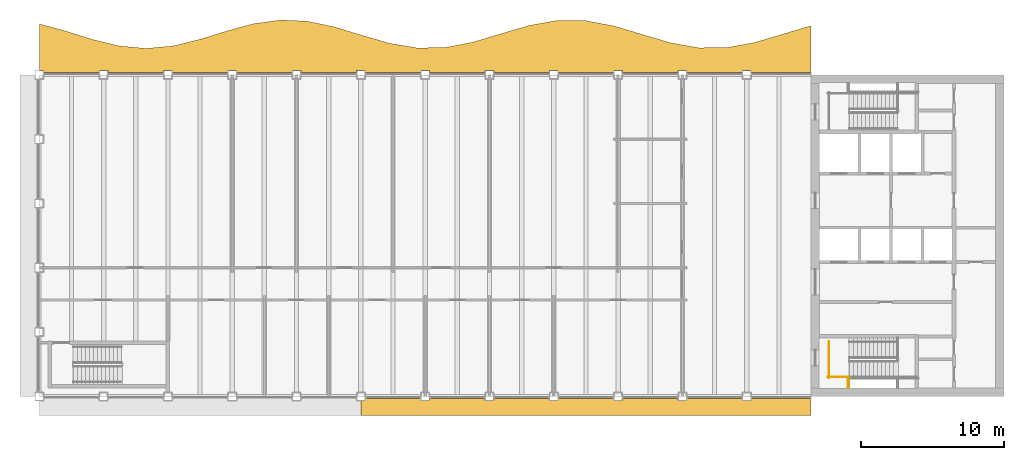
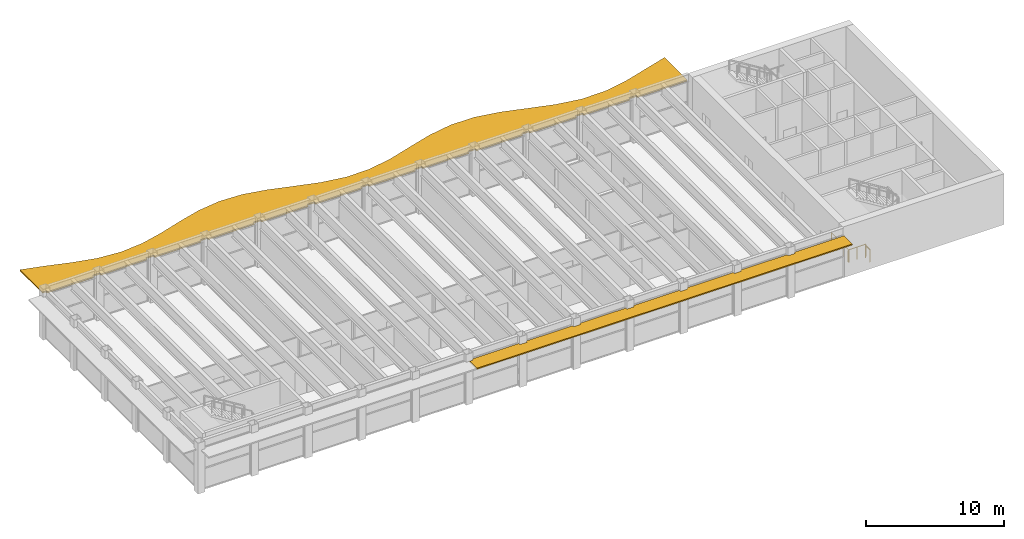
# One storey, part 13 of 14: 3 railings, 2 shading devices.
"""IFC4 building model written with IfcOpenShell, lengths in metres."""

from ifc_helpers import new_model, si_unit, direction, frame, origin, origin_2d, place, context, subcontext, project, spatial, polyline, rectangle, outline, extrude, material, layer, layer_set, type_object, element, save


model = new_model("IFC4")

# Units and contexts
model_context = context("Model", 3, precision=1e-05, world=origin(), true_north=direction((0.0, 1.0)))
body_context = subcontext(model_context, "Body", "Model", "MODEL_VIEW")
ifc_project = project(units=[si_unit("LENGTHUNIT", "METRE"), si_unit("AREAUNIT", "SQUARE_METRE"), si_unit("VOLUMEUNIT", "CUBIC_METRE"), si_unit("PLANEANGLEUNIT", "RADIAN"), si_unit("MASSUNIT", "GRAM", prefix="KILO")], contexts=[model_context])

# Site, building, storey
site_placement = place(None, origin())
site = spatial("IfcSite", under=ifc_project, at=site_placement, CompositionType="ELEMENT")
building_placement = place(site_placement, origin())
building = spatial("IfcBuilding", under=site, at=building_placement, Name="Sennacour Bend Tower", CompositionType="ELEMENT")
storey_placement = place(building_placement, frame((0.0, 0.0, 336.5)))
storey = spatial("IfcBuildingStorey", under=building, at=storey_placement, Name="L77", CompositionType="ELEMENT", Elevation=336.5)

# Railings
ifc_material_1 = material(Name="Stainless steel", Category="steel")
railing_type = type_object("IfcRailingType", Name="RL-GUARD-1100", PredefinedType="GUARDRAIL", material=ifc_material_1)
railing_1_placement = place(storey_placement, frame((55.199951171875, 1.35009765625, 0.0)))
element("IfcRailing", 1, at=railing_1_placement, inside=storey, type_object=railing_type, Name="L77 SA1 stair guard 6", PredefinedType="GUARDRAIL", context=body_context, shape_type="SweptSolid", body=[
    extrude(rectangle(XDim=0.048095703125, YDim=0.048095703125, at=origin_2d()), frame((0.0, 0.0, 1.076171875), z_axis=(1.0, 0.0, 0.0), x_axis=(0.0, 1.0, 0.0)), (0.0, 0.0, 1.0), 1.5),
    extrude(rectangle(XDim=0.0419921875, YDim=0.0419921875, at=origin_2d()), origin(), (0.0, 0.0, 1.0), 1.052001953125),
    extrude(rectangle(XDim=0.0419921875, YDim=0.0419921875, at=origin_2d()), frame((0.75, 0.0, 0.0)), (0.0, 0.0, 1.0), 1.052001953125),
    extrude(rectangle(XDim=0.0419921875, YDim=0.0419921875, at=origin_2d()), frame((1.5, 0.0, 0.0)), (0.0, 0.0, 1.0), 1.052001953125),
])
railing_2_placement = place(storey_placement, frame((55.25, 1.300048828125, 0.0)))
element("IfcRailing", 2, at=railing_2_placement, inside=storey, type_object=railing_type, Name="L77 SA1 stair guard 7", PredefinedType="GUARDRAIL", context=body_context, shape_type="SweptSolid", body=[
    extrude(rectangle(XDim=0.048095703125, YDim=0.048095703125, at=origin_2d()), frame((0.0, 0.0, 1.076171875), z_axis=(0.0, 1.0, 0.0), x_axis=(-1.0, 0.0, 0.0)), (0.0, 0.0, 1.0), 2.550048828125),
    extrude(rectangle(XDim=0.0419921875, YDim=0.0419921875, at=origin_2d()), origin(), (0.0, 0.0, 1.0), 1.052001953125),
    extrude(rectangle(XDim=0.0419921875, YDim=0.0419921875, at=origin_2d()), frame((0.0, 0.85009765625, 0.0)), (0.0, 0.0, 1.0), 1.052001953125),
    extrude(rectangle(XDim=0.0419921875, YDim=0.0419921875, at=origin_2d()), frame((0.0, 1.699951171875, 0.0)), (0.0, 0.0, 1.0), 1.052001953125),
    extrude(rectangle(XDim=0.0419921875, YDim=0.0419921875, at=origin_2d()), frame((0.0, 2.550048828125, 0.0)), (0.0, 0.0, 1.0), 1.052001953125),
])
railing_3_placement = place(storey_placement, frame((56.60009765625, 1.25, 0.0)))
element("IfcRailing", 3, at=railing_3_placement, inside=storey, type_object=railing_type, Name="L77 SA1 landing edge guard 164", PredefinedType="GUARDRAIL", context=body_context, shape_type="SweptSolid", body=[
    extrude(rectangle(XDim=0.048095703125, YDim=0.048095703125, at=origin_2d()), frame((0.0, 0.0, 1.076171875), z_axis=(0.0, -1.0, 0.0), x_axis=(1.0, 0.0, 0.0)), (0.0, 0.0, 1.0), 0.64990234375),
    extrude(rectangle(XDim=0.0419921875, YDim=0.0419921875, at=origin_2d()), origin(), (0.0, 0.0, 1.0), 1.052001953125),
    extrude(rectangle(XDim=0.0419921875, YDim=0.0419921875, at=origin_2d()), frame((0.0, -0.64990234375, 0.0)), (0.0, 0.0, 1.0), 1.052001953125),
])

# Shading devices
ifc_material_2 = material(Name="Bronze anodised aluminium", Category="aluminium")
ifc_layer_1 = layer(ifc_material_2, 0.10009765625, Name="Bronze anodised aluminium", Category="aluminium")
ifc_layer_set_1 = layer_set([ifc_layer_1], Name="Bronze anodised aluminium")
shading_device_type_1 = type_object("IfcShadingDeviceType", Name="SUNSHADE BAND STRAIGHT", PredefinedType="USERDEFINED", material=ifc_layer_set_1)
shading_device_1_placement = place(storey_placement, frame((0.0, 0.0, 3.572021484375)))
element("IfcShadingDevice", 4, at=shading_device_1_placement, inside=storey, type_object=shading_device_type_1, Name="Sunshade band L77 A outer face", ObjectType="SUNSHADE", PredefinedType="USERDEFINED", context=body_context, shape_type="SweptSolid", body=[
    extrude(outline(polyline([(26.699951171875, -0.14990234375), (26.699951171875, -0.300048828125), (27.300048828125, -0.300048828125), (27.300048828125, -0.14990234375), (31.199951171875, -0.14990234375), (31.199951171875, -0.300048828125), (31.800048828125, -0.300048828125), (31.800048828125, -0.14990234375), (35.699951171875, -0.14990234375), (35.699951171875, -0.300048828125), (36.300048828125, -0.300048828125), (36.300048828125, -0.14990234375), (40.199951171875, -0.14990234375), (40.199951171875, -0.300048828125), (40.800048828125, -0.300048828125), (40.800048828125, -0.14990234375), (44.699951171875, -0.14990234375), (44.699951171875, -0.300048828125), (45.300048828125, -0.300048828125), (45.300048828125, -0.14990234375), (49.199951171875, -0.14990234375), (49.199951171875, -0.300048828125), (49.800048828125, -0.300048828125), (49.800048828125, -0.14990234375), (54.0, -0.14990234375), (54.0, -1.35009765625), (22.5, -1.35009765625), (22.5, -0.300048828125), (22.800048828125, -0.300048828125), (22.800048828125, -0.14990234375), (26.699951171875, -0.14990234375)])), origin(), (0.0, 0.0, 1.0), 0.10009765625),
])
ifc_layer_2 = layer(ifc_material_2, 0.1201171875, Name="Bronze anodised aluminium", Category="aluminium")
ifc_layer_set_2 = layer_set([ifc_layer_2], Name="Bronze anodised aluminium")
shading_device_type_2 = type_object("IfcShadingDeviceType", Name="SUNSHADE BAND WAVE", PredefinedType="USERDEFINED", material=ifc_layer_set_2)
shading_device_2_placement = place(storey_placement, frame((0.0, 0.0, 3.552001953125)))
element("IfcShadingDevice", 5, at=shading_device_2_placement, inside=storey, type_object=shading_device_type_2, Name="Sunshade band L77 concave faces", ObjectType="SUNSHADE", PredefinedType="USERDEFINED", context=body_context, shape_type="SweptSolid", body=[
    extrude(outline(polyline([(54.0, 22.64990234375), (49.800048828125, 22.64990234375), (49.800048828125, 22.800048828125), (49.199951171875, 22.800048828125), (49.199951171875, 22.64990234375), (45.300048828125, 22.64990234375), (45.300048828125, 22.800048828125), (44.699951171875, 22.800048828125), (44.699951171875, 22.64990234375), (40.800048828125, 22.64990234375), (40.800048828125, 22.800048828125), (40.199951171875, 22.800048828125), (40.199951171875, 22.64990234375), (36.300048828125, 22.64990234375), (36.300048828125, 22.800048828125), (35.699951171875, 22.800048828125), (35.699951171875, 22.64990234375), (31.800048828125, 22.64990234375), (31.800048828125, 22.800048828125), (31.199951171875, 22.800048828125), (31.199951171875, 22.64990234375), (27.300048828125, 22.64990234375), (27.300048828125, 22.800048828125), (26.699951171875, 22.800048828125), (26.699951171875, 22.64990234375), (22.800048828125, 22.64990234375), (22.800048828125, 22.800048828125), (22.199951171875, 22.800048828125), (22.199951171875, 22.64990234375), (18.300048828125, 22.64990234375), (18.300048828125, 22.800048828125), (17.699951171875, 22.800048828125), (17.699951171875, 22.64990234375), (13.800048828125, 22.64990234375), (13.800048828125, 22.800048828125), (13.199951171875, 22.800048828125), (13.199951171875, 22.64990234375), (9.300048828125, 22.64990234375), (9.300048828125, 22.800048828125), (8.699951171875, 22.800048828125), (8.699951171875, 22.64990234375), (4.800048828125, 22.64990234375), (4.800048828125, 22.800048828125), (4.199951171875, 22.800048828125), (4.199951171875, 22.64990234375), (0.300048828125, 22.64990234375), (0.300048828125, 22.800048828125), (0.0, 22.800048828125), (0.0, 26.067138671875), (1.875, 25.55322265625), (3.75, 24.969482421875), (5.625, 24.5166015625), (7.5, 24.35009765625), (9.375, 24.527099609375), (11.25, 24.9873046875), (13.125, 25.572021484375), (15.0, 26.080322265625), (16.875, 26.337646484375), (18.75, 26.255615234375), (20.625, 25.8623046875), (22.5, 25.29296875), (24.46875, 24.7197265625), (26.4375, 24.384765625), (28.40625, 24.414306640625), (30.375, 24.79736328125), (32.34375, 25.389404296875), (34.3125, 25.96630859375), (36.28125, 26.310546875), (38.25, 26.291748046875), (40.21875, 25.91748046875), (42.1875, 25.32861328125), (44.15625, 24.747802734375), (46.125, 24.39453125), (48.09375, 24.40234375), (50.0625, 24.76806640625), (52.03125, 25.353515625), (54.0, 25.937744140625), (54.0, 22.64990234375)])), origin(), (0.0, 0.0, 1.0), 0.1201171875),
])

save(model, "model.ifc")
